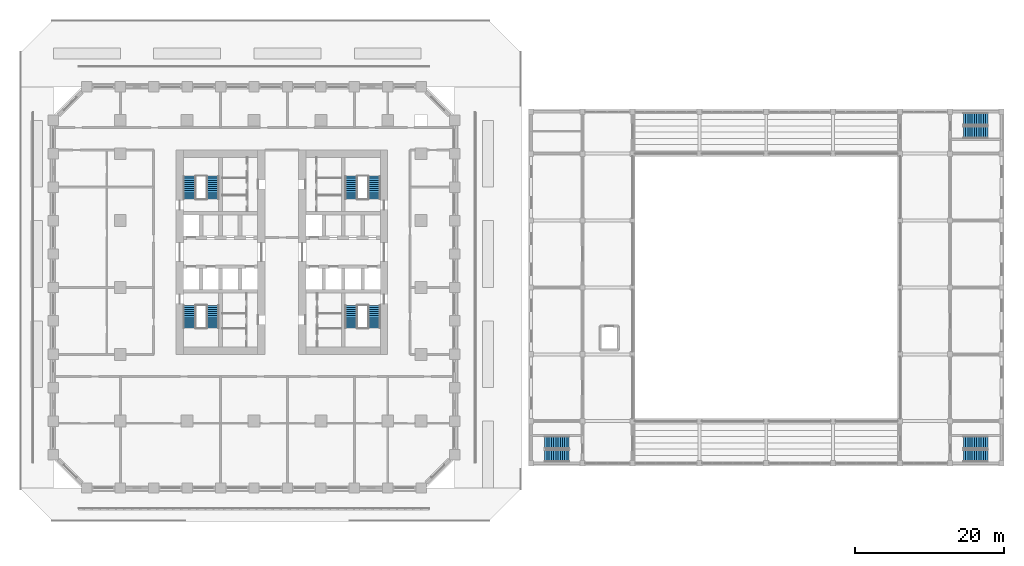
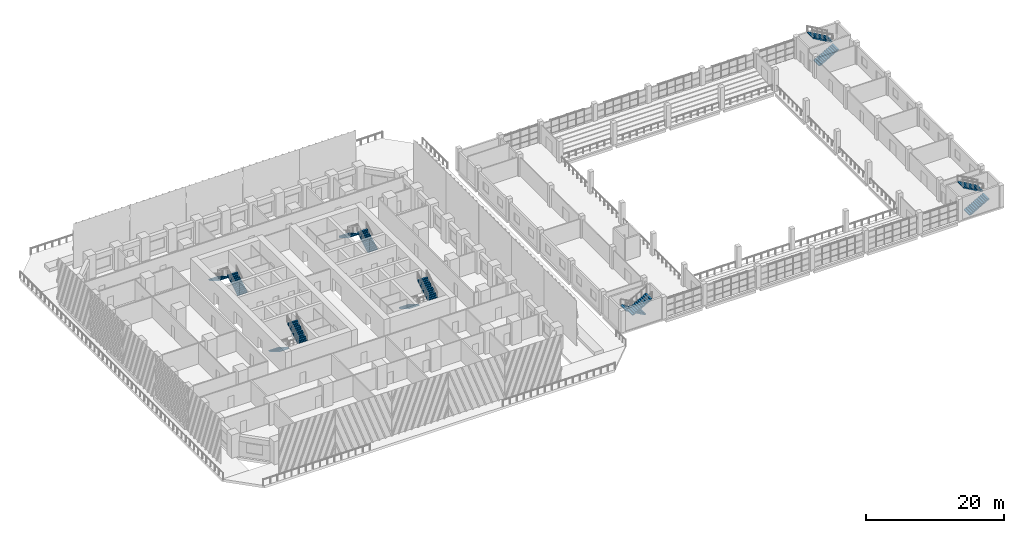
# One storey, part 25 of 36: 14 stair flights, 7 elements without a shape of their own.
"""IFC4 building model written with IfcOpenShell, lengths in metres."""

from ifc_helpers import new_model, si_unit, direction, frame, origin, place, context, subcontext, project, spatial, polyline, outline, extrude, material, type_object, element, aggregate, save


model = new_model("IFC4")

# Units and contexts
model_context = context("Model", 3, precision=1e-05, world=origin(), true_north=direction((0.0, 1.0)))
body_context = subcontext(model_context, "Body", "Model", "MODEL_VIEW")
ifc_project = project(units=[si_unit("LENGTHUNIT", "METRE"), si_unit("AREAUNIT", "SQUARE_METRE"), si_unit("VOLUMEUNIT", "CUBIC_METRE"), si_unit("PLANEANGLEUNIT", "RADIAN"), si_unit("MASSUNIT", "GRAM", prefix="KILO")], contexts=[model_context])

# Site, building, storey
site_placement = place(None, origin())
site = spatial("IfcSite", under=ifc_project, at=site_placement, CompositionType="ELEMENT")
building_placement = place(site_placement, origin())
building = spatial("IfcBuilding", under=site, at=building_placement, Name="Corbel Stack Research Tower", CompositionType="ELEMENT")
storey_placement = place(building_placement, frame((0.0, 0.0, 7.199951171875)))
storey = spatial("IfcBuildingStorey", under=building, at=storey_placement, Name="L01", CompositionType="ELEMENT", Elevation=7.199951171875)

# Stair, stair flights
ifc_material_1 = material(Name="Concrete C40/50", Category="concrete")
stair_type_1 = type_object("IfcStairType", Name="HST1 exit stair", PredefinedType="HALF_TURN_STAIR", material=ifc_material_1)
stair_1_placement = place(storey_placement, origin())
stair_1 = element("IfcStair", 1, at=stair_1_placement, inside=storey, type_object=stair_type_1, Name="L01 exit stair 1", PredefinedType="HALF_TURN_STAIR")
ifc_material_2 = material(Name="Concrete C40/50", Category="concrete")
stair_flight_type_1 = type_object("IfcStairFlightType", Name="HST2 stair flight", PredefinedType="STRAIGHT", material=ifc_material_2)
stair_flight_1_placement = place(storey_placement, frame((42.425048828125, -20.875, 0.0), z_axis=(0.0, 0.0, 1.0), x_axis=(-1.0, 0.0, 0.0)))
stair_flight_1 = element("IfcStairFlight", 2, at=stair_flight_1_placement, type_object=stair_flight_type_1, Name="HS1 flight 1", NumberOfRisers=12, NumberOfTreads=11, PredefinedType="STRAIGHT", RiserHeight=0.170833333, TreadLength=0.3, context=body_context, shape_type="SweptSolid", body=[
    extrude(outline(polyline([(0.0, 0.0), (0.0, 0.1708984375), (0.300048828125, 0.1708984375), (0.300048828125, 0.341552734375), (0.60009765625, 0.341552734375), (0.60009765625, 0.512451171875), (0.89990234375, 0.512451171875), (0.89990234375, 0.683349609375), (1.199951171875, 0.683349609375), (1.199951171875, 0.854248046875), (1.5, 0.854248046875), (1.5, 1.02490234375), (1.800048828125, 1.02490234375), (1.800048828125, 1.19580078125), (2.10009765625, 1.19580078125), (2.10009765625, 1.36669921875), (2.39990234375, 1.36669921875), (2.39990234375, 1.53759765625), (2.699951171875, 1.53759765625), (2.699951171875, 1.708251953125), (3.0, 1.708251953125), (3.0, 1.879150390625), (3.300048828125, 1.879150390625), (3.300048828125, 2.050048828125), (3.300048828125, 1.70654296875), (0.302978515625, 0.0), (0.0, 0.0)])), frame((0.0, 0.824951171875, 0.0), z_axis=(0.0, -1.0, 0.0), x_axis=(1.0, 0.0, 0.0)), (0.0, 0.0, 1.0), 1.64990234375),
])
stair_flight_2_placement = place(storey_placement, frame((39.125, -22.675048828125, 2.050048828125), z_axis=(0.0, 0.0, 1.0), x_axis=(1.0, 0.0, 0.0)))
stair_flight_2 = element("IfcStairFlight", 3, at=stair_flight_2_placement, type_object=stair_flight_type_1, Name="HS1 flight 2", NumberOfRisers=12, NumberOfTreads=11, PredefinedType="STRAIGHT", RiserHeight=0.170833333, TreadLength=0.3, context=body_context, shape_type="SweptSolid", body=[
    extrude(outline(polyline([(0.0, 0.0), (0.0, 0.1708984375), (0.300048828125, 0.1708984375), (0.300048828125, 0.341552734375), (0.60009765625, 0.341552734375), (0.60009765625, 0.512451171875), (0.89990234375, 0.512451171875), (0.89990234375, 0.683349609375), (1.199951171875, 0.683349609375), (1.199951171875, 0.854248046875), (1.5, 0.854248046875), (1.5, 1.02490234375), (1.800048828125, 1.02490234375), (1.800048828125, 1.19580078125), (2.10009765625, 1.19580078125), (2.10009765625, 1.36669921875), (2.39990234375, 1.36669921875), (2.39990234375, 1.53759765625), (2.699951171875, 1.53759765625), (2.699951171875, 1.708251953125), (3.0, 1.708251953125), (3.0, 1.879150390625), (3.300048828125, 1.879150390625), (3.300048828125, 2.050048828125), (3.300048828125, 1.70654296875), (0.302978515625, 0.0), (0.0, 0.0)])), frame((0.0, 0.824951171875, 0.0), z_axis=(0.0, -1.0, 0.0), x_axis=(1.0, 0.0, 0.0)), (0.0, 0.0, 1.0), 1.64990234375),
])
aggregate(stair_1, [stair_flight_1, stair_flight_2])

stair_2_placement = place(storey_placement, origin())
stair_2 = element("IfcStair", 4, at=stair_2_placement, inside=storey, type_object=stair_type_1, Name="L01 exit stair 2", PredefinedType="HALF_TURN_STAIR")
stair_flight_3_placement = place(storey_placement, frame((95.47509765625, 20.875, 0.0), z_axis=(0.0, 0.0, 1.0), x_axis=(1.0, 0.0, 0.0)))
stair_flight_3 = element("IfcStairFlight", 5, at=stair_flight_3_placement, type_object=stair_flight_type_1, Name="HS2 flight 1", NumberOfRisers=12, NumberOfTreads=11, PredefinedType="STRAIGHT", RiserHeight=0.170833333, TreadLength=0.3, context=body_context, shape_type="SweptSolid", body=[
    extrude(outline(polyline([(0.0, 0.0), (0.0, 0.1708984375), (0.300048828125, 0.1708984375), (0.300048828125, 0.341552734375), (0.60009765625, 0.341552734375), (0.60009765625, 0.512451171875), (0.89990234375, 0.512451171875), (0.89990234375, 0.683349609375), (1.199951171875, 0.683349609375), (1.199951171875, 0.854248046875), (1.5, 0.854248046875), (1.5, 1.02490234375), (1.800048828125, 1.02490234375), (1.800048828125, 1.19580078125), (2.10009765625, 1.19580078125), (2.10009765625, 1.36669921875), (2.39990234375, 1.36669921875), (2.39990234375, 1.53759765625), (2.699951171875, 1.53759765625), (2.699951171875, 1.708251953125), (3.0, 1.708251953125), (3.0, 1.879150390625), (3.300048828125, 1.879150390625), (3.300048828125, 2.050048828125), (3.300048828125, 1.70654296875), (0.302978515625, 0.0), (0.0, 0.0)])), frame((0.0, 0.824951171875, 0.0), z_axis=(0.0, -1.0, 0.0), x_axis=(1.0, 0.0, 0.0)), (0.0, 0.0, 1.0), 1.64990234375),
])
stair_flight_4_placement = place(storey_placement, frame((98.77490234375, 22.675048828125, 2.050048828125), z_axis=(0.0, 0.0, 1.0), x_axis=(-1.0, 0.0, 0.0)))
stair_flight_4 = element("IfcStairFlight", 6, at=stair_flight_4_placement, type_object=stair_flight_type_1, Name="HS2 flight 2", NumberOfRisers=12, NumberOfTreads=11, PredefinedType="STRAIGHT", RiserHeight=0.170833333, TreadLength=0.3, context=body_context, shape_type="SweptSolid", body=[
    extrude(outline(polyline([(0.0, 0.0), (0.0, 0.1708984375), (0.300048828125, 0.1708984375), (0.300048828125, 0.341552734375), (0.60009765625, 0.341552734375), (0.60009765625, 0.512451171875), (0.89990234375, 0.512451171875), (0.89990234375, 0.683349609375), (1.199951171875, 0.683349609375), (1.199951171875, 0.854248046875), (1.5, 0.854248046875), (1.5, 1.02490234375), (1.800048828125, 1.02490234375), (1.800048828125, 1.19580078125), (2.10009765625, 1.19580078125), (2.10009765625, 1.36669921875), (2.39990234375, 1.36669921875), (2.39990234375, 1.53759765625), (2.699951171875, 1.53759765625), (2.699951171875, 1.708251953125), (3.0, 1.708251953125), (3.0, 1.879150390625), (3.300048828125, 1.879150390625), (3.300048828125, 2.050048828125), (3.300048828125, 1.70654296875), (0.302978515625, 0.0), (0.0, 0.0)])), frame((0.0, 0.824951171875, 0.0), z_axis=(0.0, -1.0, 0.0), x_axis=(1.0, 0.0, 0.0)), (0.0, 0.0, 1.0), 1.64990234375),
])
aggregate(stair_2, [stair_flight_3, stair_flight_4])

stair_3_placement = place(storey_placement, origin())
stair_3 = element("IfcStair", 7, at=stair_3_placement, inside=storey, type_object=stair_type_1, Name="L01 exit stair 3", PredefinedType="HALF_TURN_STAIR")
stair_flight_5_placement = place(storey_placement, frame((95.47509765625, -22.675048828125, 0.0), z_axis=(0.0, 0.0, 1.0), x_axis=(1.0, 0.0, 0.0)))
stair_flight_5 = element("IfcStairFlight", 8, at=stair_flight_5_placement, type_object=stair_flight_type_1, Name="HS3 flight 1", NumberOfRisers=12, NumberOfTreads=11, PredefinedType="STRAIGHT", RiserHeight=0.170833333, TreadLength=0.3, context=body_context, shape_type="SweptSolid", body=[
    extrude(outline(polyline([(0.0, 0.0), (0.0, 0.1708984375), (0.300048828125, 0.1708984375), (0.300048828125, 0.341552734375), (0.60009765625, 0.341552734375), (0.60009765625, 0.512451171875), (0.89990234375, 0.512451171875), (0.89990234375, 0.683349609375), (1.199951171875, 0.683349609375), (1.199951171875, 0.854248046875), (1.5, 0.854248046875), (1.5, 1.02490234375), (1.800048828125, 1.02490234375), (1.800048828125, 1.19580078125), (2.10009765625, 1.19580078125), (2.10009765625, 1.36669921875), (2.39990234375, 1.36669921875), (2.39990234375, 1.53759765625), (2.699951171875, 1.53759765625), (2.699951171875, 1.708251953125), (3.0, 1.708251953125), (3.0, 1.879150390625), (3.300048828125, 1.879150390625), (3.300048828125, 2.050048828125), (3.300048828125, 1.70654296875), (0.302978515625, 0.0), (0.0, 0.0)])), frame((0.0, 0.824951171875, 0.0), z_axis=(0.0, -1.0, 0.0), x_axis=(1.0, 0.0, 0.0)), (0.0, 0.0, 1.0), 1.64990234375),
])
stair_flight_6_placement = place(storey_placement, frame((98.77490234375, -20.875, 2.050048828125), z_axis=(0.0, 0.0, 1.0), x_axis=(-1.0, 0.0, 0.0)))
stair_flight_6 = element("IfcStairFlight", 9, at=stair_flight_6_placement, type_object=stair_flight_type_1, Name="HS3 flight 2", NumberOfRisers=12, NumberOfTreads=11, PredefinedType="STRAIGHT", RiserHeight=0.170833333, TreadLength=0.3, context=body_context, shape_type="SweptSolid", body=[
    extrude(outline(polyline([(0.0, 0.0), (0.0, 0.1708984375), (0.300048828125, 0.1708984375), (0.300048828125, 0.341552734375), (0.60009765625, 0.341552734375), (0.60009765625, 0.512451171875), (0.89990234375, 0.512451171875), (0.89990234375, 0.683349609375), (1.199951171875, 0.683349609375), (1.199951171875, 0.854248046875), (1.5, 0.854248046875), (1.5, 1.02490234375), (1.800048828125, 1.02490234375), (1.800048828125, 1.19580078125), (2.10009765625, 1.19580078125), (2.10009765625, 1.36669921875), (2.39990234375, 1.36669921875), (2.39990234375, 1.53759765625), (2.699951171875, 1.53759765625), (2.699951171875, 1.708251953125), (3.0, 1.708251953125), (3.0, 1.879150390625), (3.300048828125, 1.879150390625), (3.300048828125, 2.050048828125), (3.300048828125, 1.70654296875), (0.302978515625, 0.0), (0.0, 0.0)])), frame((0.0, 0.824951171875, 0.0), z_axis=(0.0, -1.0, 0.0), x_axis=(1.0, 0.0, 0.0)), (0.0, 0.0, 1.0), 1.64990234375),
])
aggregate(stair_3, [stair_flight_5, stair_flight_6])

ifc_material_3 = material(Name="Concrete C40/50", Category="concrete")
stair_type_2 = type_object("IfcStairType", Name="Exit stair 24 risers", PredefinedType="HALF_TURN_STAIR", material=ifc_material_3)
stair_4_placement = place(storey_placement, origin())
stair_4 = element("IfcStair", 10, at=stair_4_placement, inside=storey, type_object=stair_type_2, Name="L01 Exit stair ST-W1", PredefinedType="HALF_TURN_STAIR")
ifc_material_4 = material(Name="Concrete C40/50", Category="concrete")
stair_flight_type_2 = type_object("IfcStairFlightType", Name="Stair flight 12 risers", PredefinedType="STRAIGHT", material=ifc_material_4)
stair_flight_7_placement = place(storey_placement, frame((-8.675048828125, -2.39990234375, 0.0), z_axis=(0.0, 0.0, 1.0), x_axis=(0.0, -1.0, 0.0)))
stair_flight_7 = element("IfcStairFlight", 11, at=stair_flight_7_placement, type_object=stair_flight_type_2, Name="ST-W1 flight 1", NumberOfRisers=12, NumberOfTreads=11, PredefinedType="STRAIGHT", RiserHeight=0.170833333, TreadLength=0.28, context=body_context, shape_type="SweptSolid", body=[
    extrude(outline(polyline([(0.0, 0.0), (0.0, 0.1708984375), (0.280029296875, 0.1708984375), (0.280029296875, 0.341552734375), (0.56005859375, 0.341552734375), (0.56005859375, 0.512451171875), (0.840087890625, 0.512451171875), (0.840087890625, 0.683349609375), (1.1201171875, 0.683349609375), (1.1201171875, 0.854248046875), (1.39990234375, 0.854248046875), (1.39990234375, 1.02490234375), (1.679931640625, 1.02490234375), (1.679931640625, 1.19580078125), (1.9599609375, 1.19580078125), (1.9599609375, 1.36669921875), (2.239990234375, 1.36669921875), (2.239990234375, 1.53759765625), (2.52001953125, 1.53759765625), (2.52001953125, 1.708251953125), (2.800048828125, 1.708251953125), (2.800048828125, 1.879150390625), (3.080078125, 1.879150390625), (3.080078125, 2.050048828125), (3.080078125, 1.70361328125), (0.287841796875, 0.0), (0.0, 0.0)])), frame((0.0, 0.824951171875, 0.0), z_axis=(0.0, -1.0, 0.0), x_axis=(1.0, 0.0, 0.0)), (0.0, 0.0, 1.0), 1.64990234375),
])
stair_flight_8_placement = place(storey_placement, frame((-5.574951171875, -5.47998046875, 2.050048828125), z_axis=(0.0, 0.0, 1.0), x_axis=(0.0, 1.0, 0.0)))
stair_flight_8 = element("IfcStairFlight", 12, at=stair_flight_8_placement, type_object=stair_flight_type_2, Name="ST-W1 flight 2", NumberOfRisers=12, NumberOfTreads=11, PredefinedType="STRAIGHT", RiserHeight=0.170833333, TreadLength=0.28, context=body_context, shape_type="SweptSolid", body=[
    extrude(outline(polyline([(0.0, 0.0), (0.0, 0.1708984375), (0.280029296875, 0.1708984375), (0.280029296875, 0.341552734375), (0.56005859375, 0.341552734375), (0.56005859375, 0.512451171875), (0.840087890625, 0.512451171875), (0.840087890625, 0.683349609375), (1.1201171875, 0.683349609375), (1.1201171875, 0.854248046875), (1.39990234375, 0.854248046875), (1.39990234375, 1.02490234375), (1.679931640625, 1.02490234375), (1.679931640625, 1.19580078125), (1.9599609375, 1.19580078125), (1.9599609375, 1.36669921875), (2.239990234375, 1.36669921875), (2.239990234375, 1.53759765625), (2.52001953125, 1.53759765625), (2.52001953125, 1.708251953125), (2.800048828125, 1.708251953125), (2.800048828125, 1.879150390625), (3.080078125, 1.879150390625), (3.080078125, 2.050048828125), (3.080078125, 1.70361328125), (0.287841796875, 0.0), (0.0, 0.0)])), frame((0.0, 0.824951171875, 0.0), z_axis=(0.0, -1.0, 0.0), x_axis=(1.0, 0.0, 0.0)), (0.0, 0.0, 1.0), 1.64990234375),
])
aggregate(stair_4, [stair_flight_7, stair_flight_8])

stair_5_placement = place(storey_placement, origin())
stair_5 = element("IfcStair", 13, at=stair_5_placement, inside=storey, type_object=stair_type_2, Name="L01 Exit stair ST-W2", PredefinedType="HALF_TURN_STAIR")
stair_flight_9_placement = place(storey_placement, frame((-5.574951171875, 11.89990234375, 0.0), z_axis=(0.0, 0.0, 1.0), x_axis=(0.0, 1.0, 0.0)))
stair_flight_9 = element("IfcStairFlight", 14, at=stair_flight_9_placement, type_object=stair_flight_type_2, Name="ST-W2 flight 1", NumberOfRisers=12, NumberOfTreads=11, PredefinedType="STRAIGHT", RiserHeight=0.170833333, TreadLength=0.28, context=body_context, shape_type="SweptSolid", body=[
    extrude(outline(polyline([(0.0, 0.0), (0.0, 0.1708984375), (0.280029296875, 0.1708984375), (0.280029296875, 0.341552734375), (0.56005859375, 0.341552734375), (0.56005859375, 0.512451171875), (0.840087890625, 0.512451171875), (0.840087890625, 0.683349609375), (1.1201171875, 0.683349609375), (1.1201171875, 0.854248046875), (1.39990234375, 0.854248046875), (1.39990234375, 1.02490234375), (1.679931640625, 1.02490234375), (1.679931640625, 1.19580078125), (1.9599609375, 1.19580078125), (1.9599609375, 1.36669921875), (2.239990234375, 1.36669921875), (2.239990234375, 1.53759765625), (2.52001953125, 1.53759765625), (2.52001953125, 1.708251953125), (2.800048828125, 1.708251953125), (2.800048828125, 1.879150390625), (3.080078125, 1.879150390625), (3.080078125, 2.050048828125), (3.080078125, 1.70361328125), (0.287841796875, 0.0), (0.0, 0.0)])), frame((0.0, 0.824951171875, 0.0), z_axis=(0.0, -1.0, 0.0), x_axis=(1.0, 0.0, 0.0)), (0.0, 0.0, 1.0), 1.64990234375),
])
stair_flight_10_placement = place(storey_placement, frame((-8.675048828125, 14.97998046875, 2.050048828125), z_axis=(0.0, 0.0, 1.0), x_axis=(0.0, -1.0, 0.0)))
stair_flight_10 = element("IfcStairFlight", 15, at=stair_flight_10_placement, type_object=stair_flight_type_2, Name="ST-W2 flight 2", NumberOfRisers=12, NumberOfTreads=11, PredefinedType="STRAIGHT", RiserHeight=0.170833333, TreadLength=0.28, context=body_context, shape_type="SweptSolid", body=[
    extrude(outline(polyline([(0.0, 0.0), (0.0, 0.1708984375), (0.280029296875, 0.1708984375), (0.280029296875, 0.341552734375), (0.56005859375, 0.341552734375), (0.56005859375, 0.512451171875), (0.840087890625, 0.512451171875), (0.840087890625, 0.683349609375), (1.1201171875, 0.683349609375), (1.1201171875, 0.854248046875), (1.39990234375, 0.854248046875), (1.39990234375, 1.02490234375), (1.679931640625, 1.02490234375), (1.679931640625, 1.19580078125), (1.9599609375, 1.19580078125), (1.9599609375, 1.36669921875), (2.239990234375, 1.36669921875), (2.239990234375, 1.53759765625), (2.52001953125, 1.53759765625), (2.52001953125, 1.708251953125), (2.800048828125, 1.708251953125), (2.800048828125, 1.879150390625), (3.080078125, 1.879150390625), (3.080078125, 2.050048828125), (3.080078125, 1.70361328125), (0.287841796875, 0.0), (0.0, 0.0)])), frame((0.0, 0.824951171875, 0.0), z_axis=(0.0, -1.0, 0.0), x_axis=(1.0, 0.0, 0.0)), (0.0, 0.0, 1.0), 1.64990234375),
])
aggregate(stair_5, [stair_flight_9, stair_flight_10])

stair_6_placement = place(storey_placement, origin())
stair_6 = element("IfcStair", 16, at=stair_6_placement, inside=storey, type_object=stair_type_2, Name="L01 Exit stair ST-E1", PredefinedType="HALF_TURN_STAIR")
stair_flight_11_placement = place(storey_placement, frame((13.074951171875, -2.39990234375, 0.0), z_axis=(0.0, 0.0, 1.0), x_axis=(0.0, -1.0, 0.0)))
stair_flight_11 = element("IfcStairFlight", 17, at=stair_flight_11_placement, type_object=stair_flight_type_2, Name="ST-E1 flight 1", NumberOfRisers=12, NumberOfTreads=11, PredefinedType="STRAIGHT", RiserHeight=0.170833333, TreadLength=0.28, context=body_context, shape_type="SweptSolid", body=[
    extrude(outline(polyline([(0.0, 0.0), (0.0, 0.1708984375), (0.280029296875, 0.1708984375), (0.280029296875, 0.341552734375), (0.56005859375, 0.341552734375), (0.56005859375, 0.512451171875), (0.840087890625, 0.512451171875), (0.840087890625, 0.683349609375), (1.1201171875, 0.683349609375), (1.1201171875, 0.854248046875), (1.39990234375, 0.854248046875), (1.39990234375, 1.02490234375), (1.679931640625, 1.02490234375), (1.679931640625, 1.19580078125), (1.9599609375, 1.19580078125), (1.9599609375, 1.36669921875), (2.239990234375, 1.36669921875), (2.239990234375, 1.53759765625), (2.52001953125, 1.53759765625), (2.52001953125, 1.708251953125), (2.800048828125, 1.708251953125), (2.800048828125, 1.879150390625), (3.080078125, 1.879150390625), (3.080078125, 2.050048828125), (3.080078125, 1.70361328125), (0.287841796875, 0.0), (0.0, 0.0)])), frame((0.0, 0.824951171875, 0.0), z_axis=(0.0, -1.0, 0.0), x_axis=(1.0, 0.0, 0.0)), (0.0, 0.0, 1.0), 1.64990234375),
])
stair_flight_12_placement = place(storey_placement, frame((16.175048828125, -5.47998046875, 2.050048828125), z_axis=(0.0, 0.0, 1.0), x_axis=(0.0, 1.0, 0.0)))
stair_flight_12 = element("IfcStairFlight", 18, at=stair_flight_12_placement, type_object=stair_flight_type_2, Name="ST-E1 flight 2", NumberOfRisers=12, NumberOfTreads=11, PredefinedType="STRAIGHT", RiserHeight=0.170833333, TreadLength=0.28, context=body_context, shape_type="SweptSolid", body=[
    extrude(outline(polyline([(0.0, 0.0), (0.0, 0.1708984375), (0.280029296875, 0.1708984375), (0.280029296875, 0.341552734375), (0.56005859375, 0.341552734375), (0.56005859375, 0.512451171875), (0.840087890625, 0.512451171875), (0.840087890625, 0.683349609375), (1.1201171875, 0.683349609375), (1.1201171875, 0.854248046875), (1.39990234375, 0.854248046875), (1.39990234375, 1.02490234375), (1.679931640625, 1.02490234375), (1.679931640625, 1.19580078125), (1.9599609375, 1.19580078125), (1.9599609375, 1.36669921875), (2.239990234375, 1.36669921875), (2.239990234375, 1.53759765625), (2.52001953125, 1.53759765625), (2.52001953125, 1.708251953125), (2.800048828125, 1.708251953125), (2.800048828125, 1.879150390625), (3.080078125, 1.879150390625), (3.080078125, 2.050048828125), (3.080078125, 1.70361328125), (0.287841796875, 0.0), (0.0, 0.0)])), frame((0.0, 0.824951171875, 0.0), z_axis=(0.0, -1.0, 0.0), x_axis=(1.0, 0.0, 0.0)), (0.0, 0.0, 1.0), 1.64990234375),
])
aggregate(stair_6, [stair_flight_11, stair_flight_12])

stair_7_placement = place(storey_placement, origin())
stair_7 = element("IfcStair", 19, at=stair_7_placement, inside=storey, type_object=stair_type_2, Name="L01 Exit stair ST-E2", PredefinedType="HALF_TURN_STAIR")
stair_flight_13_placement = place(storey_placement, frame((16.175048828125, 11.89990234375, 0.0), z_axis=(0.0, 0.0, 1.0), x_axis=(0.0, 1.0, 0.0)))
stair_flight_13 = element("IfcStairFlight", 20, at=stair_flight_13_placement, type_object=stair_flight_type_2, Name="ST-E2 flight 1", NumberOfRisers=12, NumberOfTreads=11, PredefinedType="STRAIGHT", RiserHeight=0.170833333, TreadLength=0.28, context=body_context, shape_type="SweptSolid", body=[
    extrude(outline(polyline([(0.0, 0.0), (0.0, 0.1708984375), (0.280029296875, 0.1708984375), (0.280029296875, 0.341552734375), (0.56005859375, 0.341552734375), (0.56005859375, 0.512451171875), (0.840087890625, 0.512451171875), (0.840087890625, 0.683349609375), (1.1201171875, 0.683349609375), (1.1201171875, 0.854248046875), (1.39990234375, 0.854248046875), (1.39990234375, 1.02490234375), (1.679931640625, 1.02490234375), (1.679931640625, 1.19580078125), (1.9599609375, 1.19580078125), (1.9599609375, 1.36669921875), (2.239990234375, 1.36669921875), (2.239990234375, 1.53759765625), (2.52001953125, 1.53759765625), (2.52001953125, 1.708251953125), (2.800048828125, 1.708251953125), (2.800048828125, 1.879150390625), (3.080078125, 1.879150390625), (3.080078125, 2.050048828125), (3.080078125, 1.70361328125), (0.287841796875, 0.0), (0.0, 0.0)])), frame((0.0, 0.824951171875, 0.0), z_axis=(0.0, -1.0, 0.0), x_axis=(1.0, 0.0, 0.0)), (0.0, 0.0, 1.0), 1.64990234375),
])
stair_flight_14_placement = place(storey_placement, frame((13.074951171875, 14.97998046875, 2.050048828125), z_axis=(0.0, 0.0, 1.0), x_axis=(0.0, -1.0, 0.0)))
stair_flight_14 = element("IfcStairFlight", 21, at=stair_flight_14_placement, type_object=stair_flight_type_2, Name="ST-E2 flight 2", NumberOfRisers=12, NumberOfTreads=11, PredefinedType="STRAIGHT", RiserHeight=0.170833333, TreadLength=0.28, context=body_context, shape_type="SweptSolid", body=[
    extrude(outline(polyline([(0.0, 0.0), (0.0, 0.1708984375), (0.280029296875, 0.1708984375), (0.280029296875, 0.341552734375), (0.56005859375, 0.341552734375), (0.56005859375, 0.512451171875), (0.840087890625, 0.512451171875), (0.840087890625, 0.683349609375), (1.1201171875, 0.683349609375), (1.1201171875, 0.854248046875), (1.39990234375, 0.854248046875), (1.39990234375, 1.02490234375), (1.679931640625, 1.02490234375), (1.679931640625, 1.19580078125), (1.9599609375, 1.19580078125), (1.9599609375, 1.36669921875), (2.239990234375, 1.36669921875), (2.239990234375, 1.53759765625), (2.52001953125, 1.53759765625), (2.52001953125, 1.708251953125), (2.800048828125, 1.708251953125), (2.800048828125, 1.879150390625), (3.080078125, 1.879150390625), (3.080078125, 2.050048828125), (3.080078125, 1.70361328125), (0.287841796875, 0.0), (0.0, 0.0)])), frame((0.0, 0.824951171875, 0.0), z_axis=(0.0, -1.0, 0.0), x_axis=(1.0, 0.0, 0.0)), (0.0, 0.0, 1.0), 1.64990234375),
])
aggregate(stair_7, [stair_flight_13, stair_flight_14])

save(model, "model.ifc")
